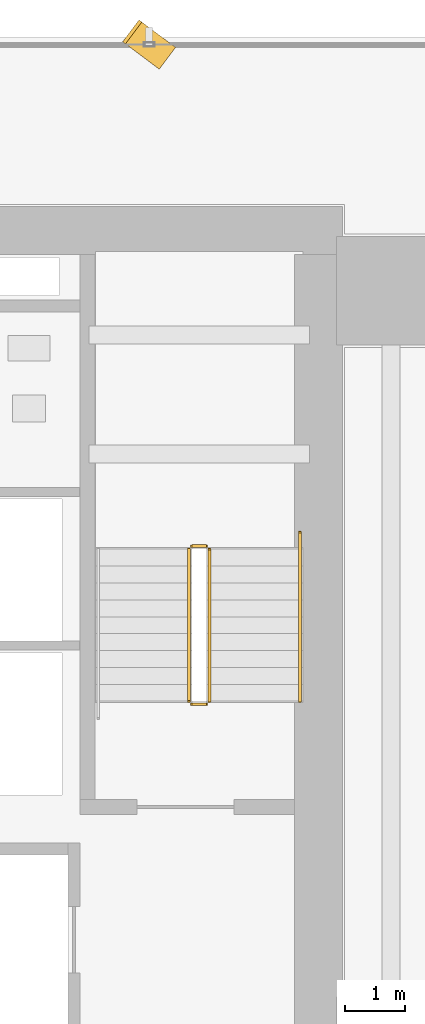
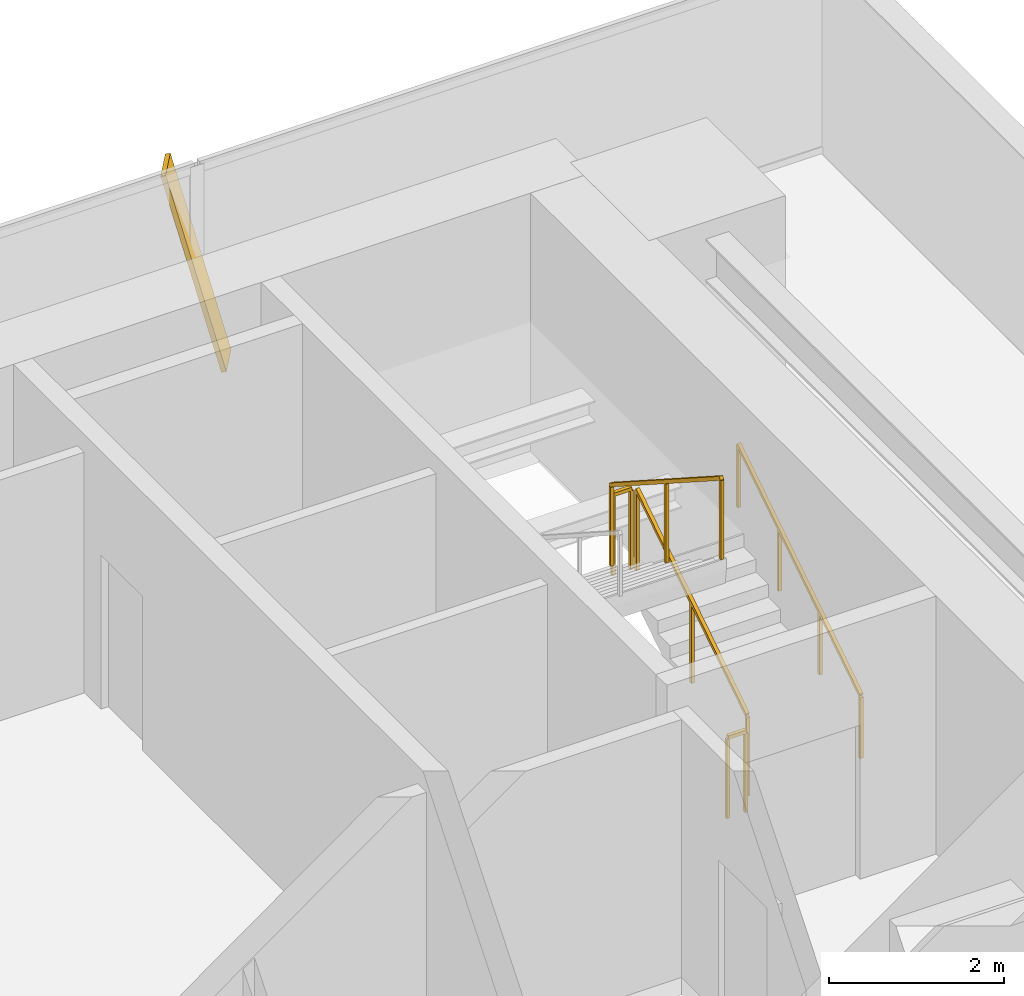
# One storey, part 32 of 33: 5 railings, 1 shading device.
"""IFC4 building model written with IfcOpenShell, lengths in metres."""

import ifcopenshell
import ifcopenshell.guid

model = None  # the IFC model being written
_history = None  # IfcOwnerHistory: only IFC2X3 demands one
_inside = {}  # id of a spatial element -> (the spatial element, [elements in it])
_under = {}  # id of a project, library or spatial element -> (it, [spatial elements below it])
_declared = {}  # id of a project -> (the project, [libraries it declares])
_typed = {}  # id of a type object -> (the type object, [elements of that type])
_made_of = {}  # id of a material, layer set ... -> (it, [elements and type objects made of it])


def new_model(schema):
    """Start an empty IFC model of exactly this schema.

    Asked for "IFC4X3", IfcOpenShell would pick the latest addendum, in which some entities
    have other attributes; the version numbers below select the first issue.
    IFC2X3 requires an IfcOwnerHistory on every rooted entity: one is made here for all.
    """
    global model, _history
    if schema == "IFC4X3":
        model = ifcopenshell.file(schema_version=(4, 3, 0, 0))
    else:
        model = ifcopenshell.file(schema=schema)
    _inside.clear()
    _under.clear()
    _declared.clear()
    _typed.clear()
    _made_of.clear()
    _history = None
    if model.schema == "IFC2X3":
        org = make("IfcOrganization", Name="unknown")
        user = make(
            "IfcPersonAndOrganization",
            ThePerson=make("IfcPerson", FamilyName="unknown"),
            TheOrganization=org,
        )
        app = make(
            "IfcApplication",
            ApplicationDeveloper=org,
            Version="unknown",
            ApplicationFullName="unknown",
            ApplicationIdentifier="unknown",
        )
        _history = make(
            "IfcOwnerHistory",
            OwningUser=user,
            OwningApplication=app,
            ChangeAction="ADDED",
            CreationDate=0,
        )
    return model


def make(cls, **values):
    """One entity of the class cls with the attributes given. An attribute that is None is left unset."""
    return model.create_entity(
        cls, **{name: value for name, value in values.items() if value is not None}
    )


def rooted(cls, **values):
    """An entity with a GlobalId (a new one), such as an element, a storey or a relation."""
    return make(cls, GlobalId=ifcopenshell.guid.new(), OwnerHistory=_history, **values)


def si_unit(unit_type, name, prefix=None):
    """IfcSIUnit, for example si_unit("LENGTHUNIT", "METRE", prefix="MILLI")."""
    return make("IfcSIUnit", UnitType=unit_type, Prefix=prefix, Name=name)


def assignment(units):
    """IfcUnitAssignment: the units of a project."""
    return None if units is None else make("IfcUnitAssignment", Units=units)


def point(xyz):
    """IfcCartesianPoint."""
    return None if xyz is None else make("IfcCartesianPoint", Coordinates=xyz)


def direction(xyz):
    """IfcDirection."""
    return None if xyz is None else make("IfcDirection", DirectionRatios=xyz)


def frame(location, z_axis=None, x_axis=None):
    """IfcAxis2Placement3D, a coordinate frame: its origin and axes. An axis left out is left unset."""
    return make(
        "IfcAxis2Placement3D",
        Location=point(location),
        Axis=direction(z_axis),
        RefDirection=direction(x_axis),
    )


def frame_2d(location, x_axis=None):
    """IfcAxis2Placement2D, a coordinate frame in the plane: its origin and x axis."""
    return make(
        "IfcAxis2Placement2D", Location=point(location), RefDirection=direction(x_axis)
    )


def origin():
    """The frame at (0, 0, 0) with its axes left unset."""
    return frame((0.0, 0.0, 0.0))


def origin_2d():
    """The frame at (0, 0) in the plane with its x axis left unset."""
    return frame_2d((0.0, 0.0))


def place(relative_to, where):
    """IfcLocalPlacement: puts the frame where relative to a parent placement (None: the world)."""
    return make(
        "IfcLocalPlacement", PlacementRelTo=relative_to, RelativePlacement=where
    )


def context(
    kind, dimensions, precision=None, world=None, true_north=None, identifier=None
):
    """IfcGeometricRepresentationContext, for example the 3D "Model" context."""
    return make(
        "IfcGeometricRepresentationContext",
        ContextIdentifier=identifier,
        ContextType=kind,
        CoordinateSpaceDimension=dimensions,
        Precision=precision,
        WorldCoordinateSystem=world,
        TrueNorth=true_north,
    )


def subcontext(parent, identifier, kind, view, scale=None):
    """IfcGeometricRepresentationSubContext, for example "Body" below "Model"."""
    return make(
        "IfcGeometricRepresentationSubContext",
        ContextIdentifier=identifier,
        ContextType=kind,
        ParentContext=parent,
        TargetScale=scale,
        TargetView=view,
    )


def project(units=None, contexts=None):
    """IfcProject with its units and contexts."""
    return rooted(
        "IfcProject",
        Name="project",
        RepresentationContexts=contexts,
        UnitsInContext=assignment(units),
    )


def spatial(cls, under=None, at=None, **own):
    """A site, building, storey or space (cls), placed at a placement, below another one or the project."""
    s = rooted(cls, ObjectPlacement=at, **own)
    if under is not None:
        _under.setdefault(under.id(), (under, []))[1].append(s)
    return s


def profile(cls, at=None, kind="AREA", **sizes):
    """A parametric profile (cls). Its sizes go by their IFC names, for example OverallWidth=200.0."""
    return make(cls, ProfileType=kind, Position=at, **sizes)


def rectangle(**sizes):
    """IfcRectangleProfileDef."""
    return profile("IfcRectangleProfileDef", **sizes)


def extrude(swept, where, along, depth):
    """IfcExtrudedAreaSolid: the profile swept, set in the frame where, extruded along a direction by depth."""
    return make(
        "IfcExtrudedAreaSolid",
        SweptArea=swept,
        Position=where,
        ExtrudedDirection=direction(along),
        Depth=depth,
    )


def shape(context_of_items, identifier, shape_type, items):
    """IfcShapeRepresentation: the items that make up one representation, for example the "Body"."""
    return make(
        "IfcShapeRepresentation",
        ContextOfItems=context_of_items,
        RepresentationIdentifier=identifier,
        RepresentationType=shape_type,
        Items=items,
    )


def source(mapping_origin, context_of_items, identifier, shape_type, items):
    """IfcRepresentationMap: a shape defined once, which mapped items show again and again."""
    return make(
        "IfcRepresentationMap",
        MappingOrigin=mapping_origin,
        MappedRepresentation=shape(context_of_items, identifier, shape_type, items),
    )


def transform(
    local_origin,
    x_axis=None,
    y_axis=None,
    z_axis=None,
    scale=None,
    scale2=None,
    scale3=None,
    uniform=True,
):
    """IfcCartesianTransformationOperator3D, or its non-uniform kind. x_axis, y_axis, z_axis: its Axis1, 2, 3."""
    if uniform:
        return make(
            "IfcCartesianTransformationOperator3D",
            Axis1=direction(x_axis),
            Axis2=direction(y_axis),
            LocalOrigin=point(local_origin),
            Scale=scale,
            Axis3=direction(z_axis),
        )
    return make(
        "IfcCartesianTransformationOperator3DnonUniform",
        Axis1=direction(x_axis),
        Axis2=direction(y_axis),
        LocalOrigin=point(local_origin),
        Scale=scale,
        Axis3=direction(z_axis),
        Scale2=scale2,
        Scale3=scale3,
    )


def mapped(mapping_source, mapping_target):
    """IfcMappedItem: shows the shape of a source again, moved by a transform."""
    return make(
        "IfcMappedItem", MappingSource=mapping_source, MappingTarget=mapping_target
    )


def material(Name=None, Category=None):
    """IfcMaterial."""
    return make("IfcMaterial", Name=Name, Category=Category)


def material_profile(
    of_material, cross_section, Name=None, Category=None, Priority=None
):
    """IfcMaterialProfile: a cross section and its material."""
    return make(
        "IfcMaterialProfile",
        Name=Name,
        Material=of_material,
        Profile=cross_section,
        Priority=Priority,
        Category=Category,
    )


def profile_set(profiles, Name=None, composite=None):
    """IfcMaterialProfileSet."""
    return make(
        "IfcMaterialProfileSet",
        Name=Name,
        MaterialProfiles=profiles,
        CompositeProfile=composite,
    )


def made_of(thing, what):
    """Note that an element or type object is made of a material, layer set ...; save() writes the relation."""
    if what is not None:
        _made_of.setdefault(what.id(), (what, []))[1].append(thing)
    return thing


def type_object(cls, material=None, **own):
    """A type object (cls), such as IfcWallType, which elements share."""
    return made_of(rooted(cls, **own), material)


def element(
    cls,
    number,
    at=None,
    inside=None,
    cuts=None,
    type_object=None,
    material=None,
    context=None,
    identifier="Body",
    shape_type=None,
    held_by="IfcProductDefinitionShape",
    body=None,
    shapes=None,
    **own,
):
    """One element of the class cls, such as IfcWall. Its Tag is "e" and its number.

    at: its placement. inside: the storey or other place that contains it. cuts: it is an
    opening in that element (IfcRelVoidsElement). A single representation is given by context,
    identifier, shape_type and body (its items); several are given by shapes. held_by: the class
    of the entity that holds the representations. save() writes the other relations.
    """
    e = rooted(cls, Tag="e%d" % number, ObjectPlacement=at, **own)
    if body is not None:
        shapes = [shape(context, identifier, shape_type, body)]
    if shapes is not None:
        e.Representation = make(held_by, Representations=shapes)
    if inside is not None:
        _inside.setdefault(inside.id(), (inside, []))[1].append(e)
    if cuts is not None:
        rooted(
            "IfcRelVoidsElement", RelatingBuildingElement=cuts, RelatedOpeningElement=e
        )
    if type_object is not None:
        _typed.setdefault(type_object.id(), (type_object, []))[1].append(e)
    return made_of(e, material)


def aggregate(whole, parts):
    """IfcRelAggregates: a whole, such as a stair, and the parts it consists of."""
    return rooted("IfcRelAggregates", RelatingObject=whole, RelatedObjects=parts)


def save(model, path):
    """Write the relations noted so far, then the file.

    IfcRelAggregates (storeys below a building ...), IfcRelContainedInSpatialStructure (elements
    in a storey), IfcRelDefinesByType, IfcRelAssociatesMaterial and IfcRelDeclares: one each for
    every whole, place, type object, material and project.
    """
    for whole, parts in _under.values():
        aggregate(whole, parts)
    for where, things in _inside.values():
        rooted(
            "IfcRelContainedInSpatialStructure",
            RelatedElements=things,
            RelatingStructure=where,
        )
    for kind, things in _typed.values():
        rooted("IfcRelDefinesByType", RelatedObjects=things, RelatingType=kind)
    for what, things in _made_of.values():
        rooted("IfcRelAssociatesMaterial", RelatedObjects=things, RelatingMaterial=what)
    for by, libraries in _declared.values():
        rooted("IfcRelDeclares", RelatingContext=by, RelatedDefinitions=libraries)
    model.write(path)


model = new_model("IFC4")

# Units and contexts
model_context = context("Model", 3, precision=1e-05, world=origin(), true_north=direction((0.0, 1.0)))
body_context = subcontext(model_context, "Body", "Model", "MODEL_VIEW")
ifc_project = project(units=[si_unit("LENGTHUNIT", "METRE"), si_unit("AREAUNIT", "SQUARE_METRE"), si_unit("VOLUMEUNIT", "CUBIC_METRE"), si_unit("PLANEANGLEUNIT", "RADIAN"), si_unit("MASSUNIT", "GRAM", prefix="KILO")], contexts=[model_context])

# Site, building, storey
site_placement = place(None, origin())
site = spatial("IfcSite", under=ifc_project, at=site_placement, CompositionType="ELEMENT")
building_placement = place(site_placement, origin())
building = spatial("IfcBuilding", under=site, at=building_placement, Name="Sumidabori Civic Tower", CompositionType="ELEMENT")
storey_placement = place(building_placement, frame((0.0, 0.0, 38.0)))
storey = spatial("IfcBuildingStorey", under=building, at=storey_placement, Name="L09", CompositionType="ELEMENT", Elevation=38.0)

# Railings
ifc_material_1 = material(Name="Stainless Steel Hairline Finish", Category="steel")
railing_type_1 = type_object("IfcRailingType", Name="RL-HANDRAIL", PredefinedType="HANDRAIL", material=ifc_material_1)
railing_1_placement = place(storey_placement, frame((15.2900390625, 16.0, 0.179931640625)))
element("IfcRailing", 1, at=railing_1_placement, inside=storey, type_object=railing_type_1, Name="L09 ST-2 stair handrail 1", PredefinedType="HANDRAIL", context=body_context, shape_type="SweptSolid", body=[
    extrude(rectangle(XDim=0.048095703125, YDim=0.048095703125, at=origin_2d()), frame((0.0, 0.0, 0.8759765625), z_axis=(0.0, 0.84064222762, 0.54159084662), x_axis=(-1.0, 0.0, 0.0)), (0.0, 0.0, 1.0), 3.330810546875),
    extrude(rectangle(XDim=0.0419921875, YDim=0.0419921875, at=origin_2d()), origin(), (0.0, 0.0, 1.0), 0.851806640625),
    extrude(rectangle(XDim=0.0419921875, YDim=0.0419921875, at=origin_2d()), frame((0.0, 0.933349609375, 0.601318359375)), (0.0, 0.0, 1.0), 0.851806640625),
    extrude(rectangle(XDim=0.0419921875, YDim=0.0419921875, at=origin_2d()), frame((0.0, 1.86669921875, 1.20263671875)), (0.0, 0.0, 1.0), 0.851806640625),
    extrude(rectangle(XDim=0.0419921875, YDim=0.0419921875, at=origin_2d()), frame((0.0, 2.800048828125, 1.803955078125)), (0.0, 0.0, 1.0), 0.851806640625),
])
ifc_material_2 = material(Name="Steel SN490", Category="steel")
railing_type_2 = type_object("IfcRailingType", Name="RL-STAIR-GUARD", PredefinedType="GUARDRAIL", material=ifc_material_2)
railing_2_placement = place(storey_placement, frame((13.7900390625, 16.0, 0.179931640625)))
element("IfcRailing", 2, at=railing_2_placement, inside=storey, type_object=railing_type_2, Name="L09 ST-2 stair guard 1", PredefinedType="GUARDRAIL", context=body_context, shape_type="SweptSolid", body=[
    extrude(rectangle(XDim=0.048095703125, YDim=0.048095703125, at=origin_2d()), frame((0.0, 0.0, 1.1259765625), z_axis=(0.0, 0.841162588446, 0.540782303519), x_axis=(-1.0, 0.0, 0.0)), (0.0, 0.0, 1.0), 2.995849609375),
    extrude(rectangle(XDim=0.0419921875, YDim=0.0419921875, at=origin_2d()), origin(), (0.0, 0.0, 1.0), 1.101806640625),
    extrude(rectangle(XDim=0.0419921875, YDim=0.0419921875, at=origin_2d()), frame((0.0, 1.260009765625, 0.81005859375)), (0.0, 0.0, 1.0), 1.101806640625),
    extrude(rectangle(XDim=0.0419921875, YDim=0.0419921875, at=origin_2d()), frame((0.0, 2.52001953125, 1.6201171875)), (0.0, 0.0, 1.0), 1.101806640625),
])
railing_3_placement = place(storey_placement, frame((13.739990234375, 18.570068359375, 1.800048828125)))
element("IfcRailing", 3, at=railing_3_placement, inside=storey, type_object=railing_type_2, Name="L09 ST-2 stair guard 2", PredefinedType="GUARDRAIL", context=body_context, shape_type="SweptSolid", body=[
    extrude(rectangle(XDim=0.048095703125, YDim=0.048095703125, at=origin_2d()), frame((0.0, 0.0, 1.1259765625), z_axis=(-1.0, 0.0, 0.0), x_axis=(0.0, -1.0, 0.0)), (0.0, 0.0, 1.0), 0.239990234375),
    extrude(rectangle(XDim=0.0419921875, YDim=0.0419921875, at=origin_2d()), origin(), (0.0, 0.0, 1.0), 1.101806640625),
    extrude(rectangle(XDim=0.0419921875, YDim=0.0419921875, at=origin_2d()), frame((-0.239990234375, 0.0, 0.0)), (0.0, 0.0, 1.0), 1.101806640625),
])
railing_4_placement = place(storey_placement, frame((13.449951171875, 18.52001953125, 1.97998046875)))
element("IfcRailing", 4, at=railing_4_placement, inside=storey, type_object=railing_type_2, Name="L09 ST-2 stair guard 3", PredefinedType="GUARDRAIL", context=body_context, shape_type="SweptSolid", body=[
    extrude(rectangle(XDim=0.048095703125, YDim=0.048095703125, at=origin_2d()), frame((0.0, 0.0, 1.1259765625), z_axis=(0.0, -0.841162588446, 0.540782303519), x_axis=(1.0, 0.0, 0.0)), (0.0, 0.0, 1.0), 2.995849609375),
    extrude(rectangle(XDim=0.0419921875, YDim=0.0419921875, at=origin_2d()), origin(), (0.0, 0.0, 1.0), 1.101806640625),
    extrude(rectangle(XDim=0.0419921875, YDim=0.0419921875, at=origin_2d()), frame((0.0, -1.260009765625, 0.81005859375)), (0.0, 0.0, 1.0), 1.101806640625),
    extrude(rectangle(XDim=0.0419921875, YDim=0.0419921875, at=origin_2d()), frame((0.0, -2.52001953125, 1.6201171875)), (0.0, 0.0, 1.0), 1.101806640625),
])
railing_5_placement = place(storey_placement, frame((13.739990234375, 15.949951171875, 0.0)))
element("IfcRailing", 5, at=railing_5_placement, inside=storey, type_object=railing_type_2, Name="L09 ST-2 stair guard 4", PredefinedType="GUARDRAIL", context=body_context, shape_type="SweptSolid", body=[
    extrude(rectangle(XDim=0.048095703125, YDim=0.048095703125, at=origin_2d()), frame((0.0, 0.0, 1.1259765625), z_axis=(-1.0, 0.0, 0.0), x_axis=(0.0, -1.0, 0.0)), (0.0, 0.0, 1.0), 0.239990234375),
    extrude(rectangle(XDim=0.0419921875, YDim=0.0419921875, at=origin_2d()), origin(), (0.0, 0.0, 1.0), 1.101806640625),
    extrude(rectangle(XDim=0.0419921875, YDim=0.0419921875, at=origin_2d()), frame((-0.239990234375, 0.0, 0.0)), (0.0, 0.0, 1.0), 1.101806640625),
])

# Shading device
ifc_material_3 = material(Name="Anodised Bronze Aluminium AW-6063-T6", Category="aluminium")
ifc_material_profile = material_profile(ifc_material_3, rectangle(XDim=0.06005859375, YDim=0.449951171875, at=origin_2d()), Name="BRONZE FIN 450x60")
ifc_profile_set = profile_set([ifc_material_profile], Name="Anodised Bronze Aluminium AW-6063-T6")
shading_device_type = type_object("IfcShadingDeviceType", Name="SH-FIN-450", PredefinedType="USERDEFINED", material=ifc_profile_set)
shared_shape = source(origin(), body_context, "Body", "SweptSolid", [
    extrude(rectangle(XDim=0.06005859375, YDim=0.449951171875, at=origin_2d()), origin(), (0.0, 0.0, 1.0), 2.769775390625),
])
shading_device_placement = place(storey_placement, frame((13.072021484375, 26.669921875, 0.02001953125), z_axis=(-0.202195931323, 0.151691019096, 0.967526041035), x_axis=(0.773939855131, -0.580623579198, 0.252771358975)))
element("IfcShadingDevice", 6, at=shading_device_placement, inside=storey, type_object=shading_device_type, Name="Bronze Anodised Diagonal Fin L09-01", ObjectType="FIN", PredefinedType="USERDEFINED", context=body_context, shape_type="MappedRepresentation", body=[
    mapped(shared_shape, transform((0.0, 0.0, 0.0), x_axis=(1.0, 0.0, 0.0), y_axis=(0.0, 1.0, 0.0), z_axis=(0.0, 0.0, 1.0), scale=1.0)),
])

save(model, "model.ifc")
